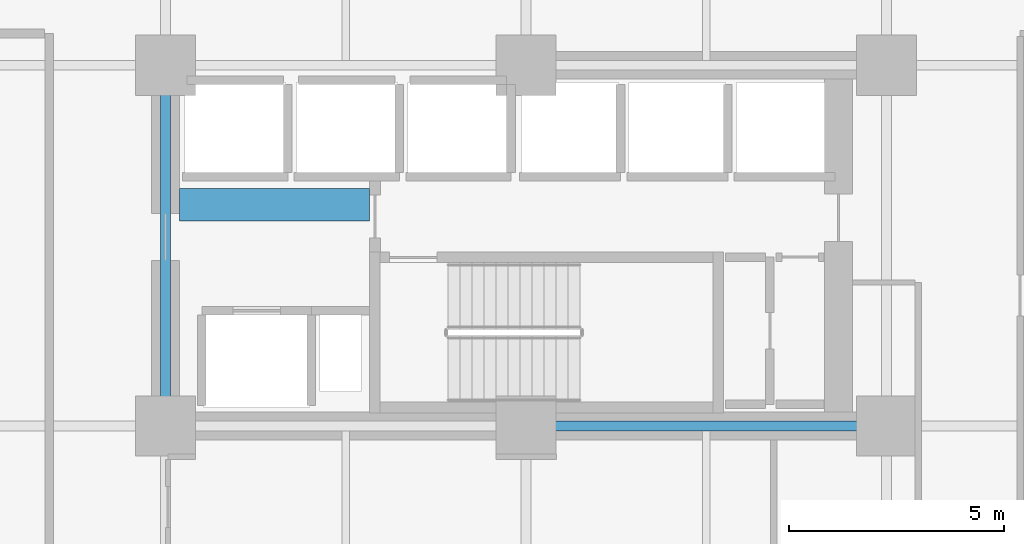
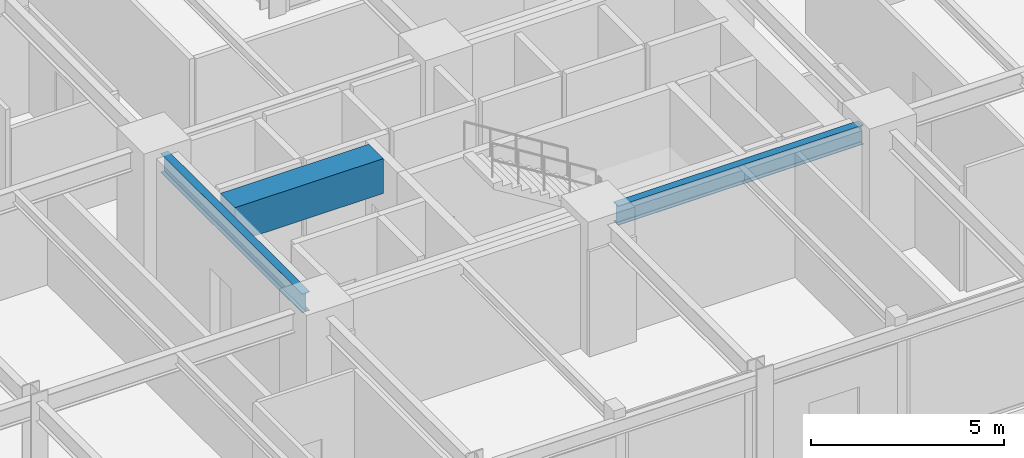
# One storey, part 5 of 25: 3 beams.
"""IFC4 building model written with IfcOpenShell, lengths in metres."""

import ifcopenshell
import ifcopenshell.guid

model = None  # the IFC model being written
_history = None  # IfcOwnerHistory: only IFC2X3 demands one
_inside = {}  # id of a spatial element -> (the spatial element, [elements in it])
_under = {}  # id of a project, library or spatial element -> (it, [spatial elements below it])
_declared = {}  # id of a project -> (the project, [libraries it declares])
_typed = {}  # id of a type object -> (the type object, [elements of that type])
_made_of = {}  # id of a material, layer set ... -> (it, [elements and type objects made of it])


def new_model(schema):
    """Start an empty IFC model of exactly this schema.

    Asked for "IFC4X3", IfcOpenShell would pick the latest addendum, in which some entities
    have other attributes; the version numbers below select the first issue.
    IFC2X3 requires an IfcOwnerHistory on every rooted entity: one is made here for all.
    """
    global model, _history
    if schema == "IFC4X3":
        model = ifcopenshell.file(schema_version=(4, 3, 0, 0))
    else:
        model = ifcopenshell.file(schema=schema)
    _inside.clear()
    _under.clear()
    _declared.clear()
    _typed.clear()
    _made_of.clear()
    _history = None
    if model.schema == "IFC2X3":
        org = make("IfcOrganization", Name="unknown")
        user = make(
            "IfcPersonAndOrganization",
            ThePerson=make("IfcPerson", FamilyName="unknown"),
            TheOrganization=org,
        )
        app = make(
            "IfcApplication",
            ApplicationDeveloper=org,
            Version="unknown",
            ApplicationFullName="unknown",
            ApplicationIdentifier="unknown",
        )
        _history = make(
            "IfcOwnerHistory",
            OwningUser=user,
            OwningApplication=app,
            ChangeAction="ADDED",
            CreationDate=0,
        )
    return model


def make(cls, **values):
    """One entity of the class cls with the attributes given. An attribute that is None is left unset."""
    return model.create_entity(
        cls, **{name: value for name, value in values.items() if value is not None}
    )


def rooted(cls, **values):
    """An entity with a GlobalId (a new one), such as an element, a storey or a relation."""
    return make(cls, GlobalId=ifcopenshell.guid.new(), OwnerHistory=_history, **values)


def si_unit(unit_type, name, prefix=None):
    """IfcSIUnit, for example si_unit("LENGTHUNIT", "METRE", prefix="MILLI")."""
    return make("IfcSIUnit", UnitType=unit_type, Prefix=prefix, Name=name)


def assignment(units):
    """IfcUnitAssignment: the units of a project."""
    return None if units is None else make("IfcUnitAssignment", Units=units)


def point(xyz):
    """IfcCartesianPoint."""
    return None if xyz is None else make("IfcCartesianPoint", Coordinates=xyz)


def direction(xyz):
    """IfcDirection."""
    return None if xyz is None else make("IfcDirection", DirectionRatios=xyz)


def frame(location, z_axis=None, x_axis=None):
    """IfcAxis2Placement3D, a coordinate frame: its origin and axes. An axis left out is left unset."""
    return make(
        "IfcAxis2Placement3D",
        Location=point(location),
        Axis=direction(z_axis),
        RefDirection=direction(x_axis),
    )


def frame_2d(location, x_axis=None):
    """IfcAxis2Placement2D, a coordinate frame in the plane: its origin and x axis."""
    return make(
        "IfcAxis2Placement2D", Location=point(location), RefDirection=direction(x_axis)
    )


def origin():
    """The frame at (0, 0, 0) with its axes left unset."""
    return frame((0.0, 0.0, 0.0))


def origin_2d():
    """The frame at (0, 0) in the plane with its x axis left unset."""
    return frame_2d((0.0, 0.0))


def place(relative_to, where):
    """IfcLocalPlacement: puts the frame where relative to a parent placement (None: the world)."""
    return make(
        "IfcLocalPlacement", PlacementRelTo=relative_to, RelativePlacement=where
    )


def context(
    kind, dimensions, precision=None, world=None, true_north=None, identifier=None
):
    """IfcGeometricRepresentationContext, for example the 3D "Model" context."""
    return make(
        "IfcGeometricRepresentationContext",
        ContextIdentifier=identifier,
        ContextType=kind,
        CoordinateSpaceDimension=dimensions,
        Precision=precision,
        WorldCoordinateSystem=world,
        TrueNorth=true_north,
    )


def subcontext(parent, identifier, kind, view, scale=None):
    """IfcGeometricRepresentationSubContext, for example "Body" below "Model"."""
    return make(
        "IfcGeometricRepresentationSubContext",
        ContextIdentifier=identifier,
        ContextType=kind,
        ParentContext=parent,
        TargetScale=scale,
        TargetView=view,
    )


def project(units=None, contexts=None):
    """IfcProject with its units and contexts."""
    return rooted(
        "IfcProject",
        Name="project",
        RepresentationContexts=contexts,
        UnitsInContext=assignment(units),
    )


def spatial(cls, under=None, at=None, **own):
    """A site, building, storey or space (cls), placed at a placement, below another one or the project."""
    s = rooted(cls, ObjectPlacement=at, **own)
    if under is not None:
        _under.setdefault(under.id(), (under, []))[1].append(s)
    return s


def profile(cls, at=None, kind="AREA", **sizes):
    """A parametric profile (cls). Its sizes go by their IFC names, for example OverallWidth=200.0."""
    return make(cls, ProfileType=kind, Position=at, **sizes)


def rectangle(**sizes):
    """IfcRectangleProfileDef."""
    return profile("IfcRectangleProfileDef", **sizes)


def i_section(**sizes):
    """IfcIShapeProfileDef."""
    return profile("IfcIShapeProfileDef", **sizes)


def extrude(swept, where, along, depth):
    """IfcExtrudedAreaSolid: the profile swept, set in the frame where, extruded along a direction by depth."""
    return make(
        "IfcExtrudedAreaSolid",
        SweptArea=swept,
        Position=where,
        ExtrudedDirection=direction(along),
        Depth=depth,
    )


def shape(context_of_items, identifier, shape_type, items):
    """IfcShapeRepresentation: the items that make up one representation, for example the "Body"."""
    return make(
        "IfcShapeRepresentation",
        ContextOfItems=context_of_items,
        RepresentationIdentifier=identifier,
        RepresentationType=shape_type,
        Items=items,
    )


def material(Name=None, Category=None):
    """IfcMaterial."""
    return make("IfcMaterial", Name=Name, Category=Category)


def material_profile(
    of_material, cross_section, Name=None, Category=None, Priority=None
):
    """IfcMaterialProfile: a cross section and its material."""
    return make(
        "IfcMaterialProfile",
        Name=Name,
        Material=of_material,
        Profile=cross_section,
        Priority=Priority,
        Category=Category,
    )


def profile_set(profiles, Name=None, composite=None):
    """IfcMaterialProfileSet."""
    return make(
        "IfcMaterialProfileSet",
        Name=Name,
        MaterialProfiles=profiles,
        CompositeProfile=composite,
    )


def made_of(thing, what):
    """Note that an element or type object is made of a material, layer set ...; save() writes the relation."""
    if what is not None:
        _made_of.setdefault(what.id(), (what, []))[1].append(thing)
    return thing


def type_object(cls, material=None, **own):
    """A type object (cls), such as IfcWallType, which elements share."""
    return made_of(rooted(cls, **own), material)


def element(
    cls,
    number,
    at=None,
    inside=None,
    cuts=None,
    type_object=None,
    material=None,
    context=None,
    identifier="Body",
    shape_type=None,
    held_by="IfcProductDefinitionShape",
    body=None,
    shapes=None,
    **own,
):
    """One element of the class cls, such as IfcWall. Its Tag is "e" and its number.

    at: its placement. inside: the storey or other place that contains it. cuts: it is an
    opening in that element (IfcRelVoidsElement). A single representation is given by context,
    identifier, shape_type and body (its items); several are given by shapes. held_by: the class
    of the entity that holds the representations. save() writes the other relations.
    """
    e = rooted(cls, Tag="e%d" % number, ObjectPlacement=at, **own)
    if body is not None:
        shapes = [shape(context, identifier, shape_type, body)]
    if shapes is not None:
        e.Representation = make(held_by, Representations=shapes)
    if inside is not None:
        _inside.setdefault(inside.id(), (inside, []))[1].append(e)
    if cuts is not None:
        rooted(
            "IfcRelVoidsElement", RelatingBuildingElement=cuts, RelatedOpeningElement=e
        )
    if type_object is not None:
        _typed.setdefault(type_object.id(), (type_object, []))[1].append(e)
    return made_of(e, material)


def aggregate(whole, parts):
    """IfcRelAggregates: a whole, such as a stair, and the parts it consists of."""
    return rooted("IfcRelAggregates", RelatingObject=whole, RelatedObjects=parts)


def save(model, path):
    """Write the relations noted so far, then the file.

    IfcRelAggregates (storeys below a building ...), IfcRelContainedInSpatialStructure (elements
    in a storey), IfcRelDefinesByType, IfcRelAssociatesMaterial and IfcRelDeclares: one each for
    every whole, place, type object, material and project.
    """
    for whole, parts in _under.values():
        aggregate(whole, parts)
    for where, things in _inside.values():
        rooted(
            "IfcRelContainedInSpatialStructure",
            RelatedElements=things,
            RelatingStructure=where,
        )
    for kind, things in _typed.values():
        rooted("IfcRelDefinesByType", RelatedObjects=things, RelatingType=kind)
    for what, things in _made_of.values():
        rooted("IfcRelAssociatesMaterial", RelatedObjects=things, RelatingMaterial=what)
    for by, libraries in _declared.values():
        rooted("IfcRelDeclares", RelatingContext=by, RelatedDefinitions=libraries)
    model.write(path)


model = new_model("IFC4")

# Units and contexts
model_context = context("Model", 3, precision=1e-05, world=origin(), true_north=direction((0.0, 1.0)))
body_context = subcontext(model_context, "Body", "Model", "MODEL_VIEW")
ifc_project = project(units=[si_unit("LENGTHUNIT", "METRE"), si_unit("AREAUNIT", "SQUARE_METRE"), si_unit("VOLUMEUNIT", "CUBIC_METRE"), si_unit("PLANEANGLEUNIT", "RADIAN"), si_unit("MASSUNIT", "GRAM", prefix="KILO")], contexts=[model_context])

# Site, building, storey
site_placement = place(None, origin())
site = spatial("IfcSite", under=ifc_project, at=site_placement, CompositionType="ELEMENT")
building_placement = place(site_placement, origin())
building = spatial("IfcBuilding", under=site, at=building_placement, Name="Nerrivon Quay Data Exchange", CompositionType="ELEMENT")
storey_placement = place(building_placement, frame((0.0, 0.0, 54.199951171875)))
storey = spatial("IfcBuildingStorey", under=building, at=storey_placement, Name="L12", CompositionType="ELEMENT", Elevation=54.199951171875)

# Beams
ifc_material_1 = material(Name="Concrete S65 (65 MPa)", Category="concrete")
ifc_material_profile_1 = material_profile(ifc_material_1, rectangle(XDim=0.75, YDim=1.10009765625, at=origin_2d()), Name="RC-CB-750x1100")
ifc_profile_set_1 = profile_set([ifc_material_profile_1], Name="Concrete S65 (65 MPa)")
beam_type_1 = type_object("IfcBeamType", Name="BM-CB1-750x1100", PredefinedType="LINTEL", material=ifc_profile_set_1)
beam_1_placement = place(storey_placement, frame((17.125, 13.550048828125, 3.375), z_axis=(1.0, 0.0, 0.0), x_axis=(0.0, 1.0, 0.0)))
element("IfcBeam", 1, at=beam_1_placement, inside=storey, type_object=beam_type_1, Name="L12 East Core Coupling Beam", PredefinedType="LINTEL", context=body_context, shape_type="SweptSolid", body=[
    extrude(rectangle(XDim=0.75, YDim=1.10009765625, at=origin_2d()), origin(), (0.0, 0.0, 1.0), 4.429931640625),
])
ifc_material_2 = material(Name="Steel Grade 350", Category="steel")
ifc_material_profile_2 = material_profile(ifc_material_2, i_section(OverallWidth=0.22900390625, OverallDepth=0.612060546875, WebThickness=0.011962890625, FlangeThickness=0.01953125, FilletRadius=0.013916015625, at=origin_2d()), Name="610UB125")
ifc_profile_set_2 = profile_set([ifc_material_profile_2], Name="Steel Grade 350")
beam_type_2 = type_object("IfcBeamType", Name="BM-G1-610UB125", PredefinedType="BEAM", material=ifc_profile_set_2)
beam_2_placement = place(storey_placement, frame((25.739990234375, 8.39990234375, 3.619140625), z_axis=(1.0, 0.0, 0.0), x_axis=(0.0, 1.0, 0.0)))
element("IfcBeam", 2, at=beam_2_placement, inside=storey, type_object=beam_type_2, Name="L12 EW Girder Y=8.4 (25.2..33.6)", PredefinedType="BEAM", context=body_context, shape_type="SweptSolid", body=[
    extrude(i_section(OverallWidth=0.22900390625, OverallDepth=0.612060546875, WebThickness=0.011962890625, FlangeThickness=0.01953125, FilletRadius=0.013916015625, at=origin_2d()), origin(), (0.0, 0.0, 1.0), 7.320068359375),
])
ifc_material_profile_3 = material_profile(ifc_material_2, i_section(OverallWidth=0.22802734375, OverallDepth=0.60205078125, WebThickness=0.010498046875, FlangeThickness=0.014892578125, FilletRadius=0.013916015625, at=origin_2d()), Name="610UB101")
ifc_profile_set_3 = profile_set([ifc_material_profile_3], Name="Steel Grade 350")
beam_type_3 = type_object("IfcBeamType", Name="BM-G2-610UB101", PredefinedType="BEAM", material=ifc_profile_set_3)
beam_3_placement = place(storey_placement, frame((16.800048828125, 8.93994140625, 3.6240234375), z_axis=(0.0, 1.0, 0.0), x_axis=(-1.0, 0.0, 0.0)))
element("IfcBeam", 3, at=beam_3_placement, inside=storey, type_object=beam_type_3, Name="L12 NS Girder X=16.8 (8.4..16.8)", PredefinedType="BEAM", context=body_context, shape_type="SweptSolid", body=[
    extrude(i_section(OverallWidth=0.22802734375, OverallDepth=0.60205078125, WebThickness=0.010498046875, FlangeThickness=0.014892578125, FilletRadius=0.013916015625, at=origin_2d()), origin(), (0.0, 0.0, 1.0), 7.320068359375),
])

save(model, "model.ifc")
